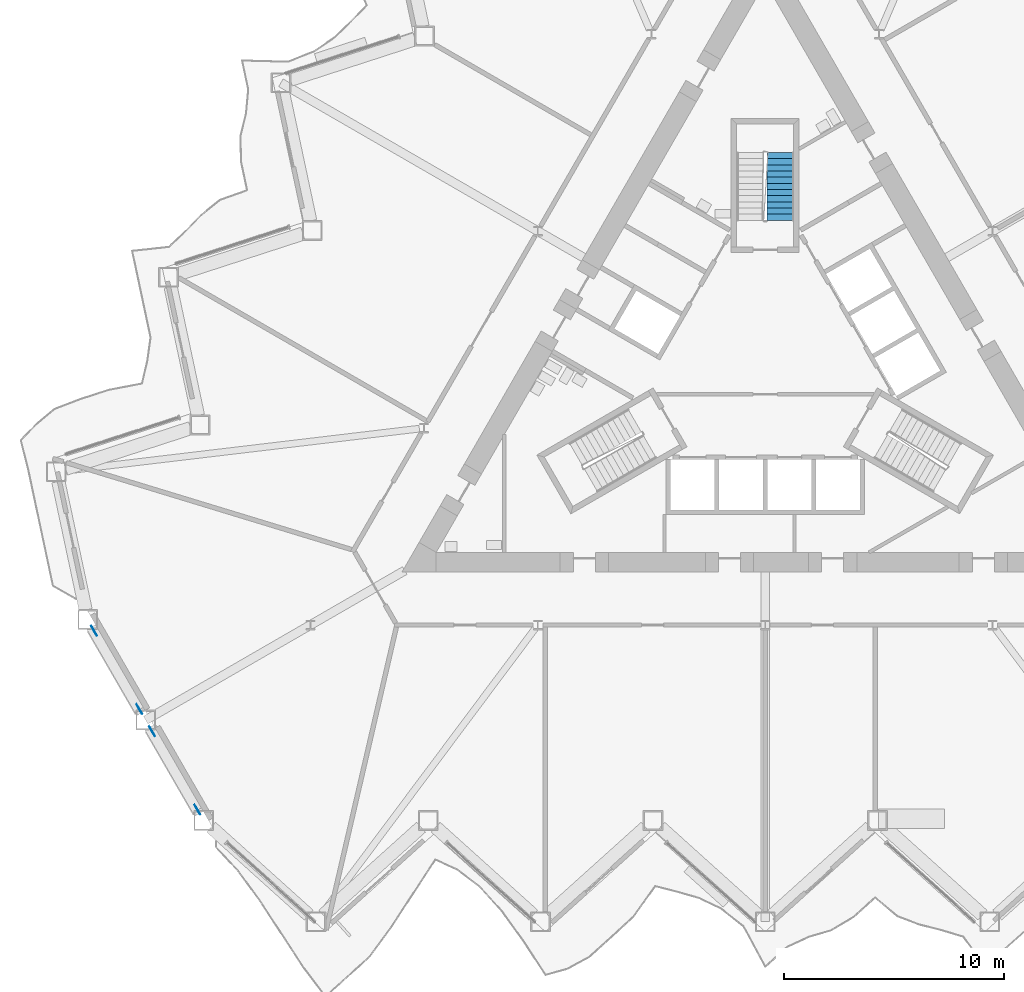
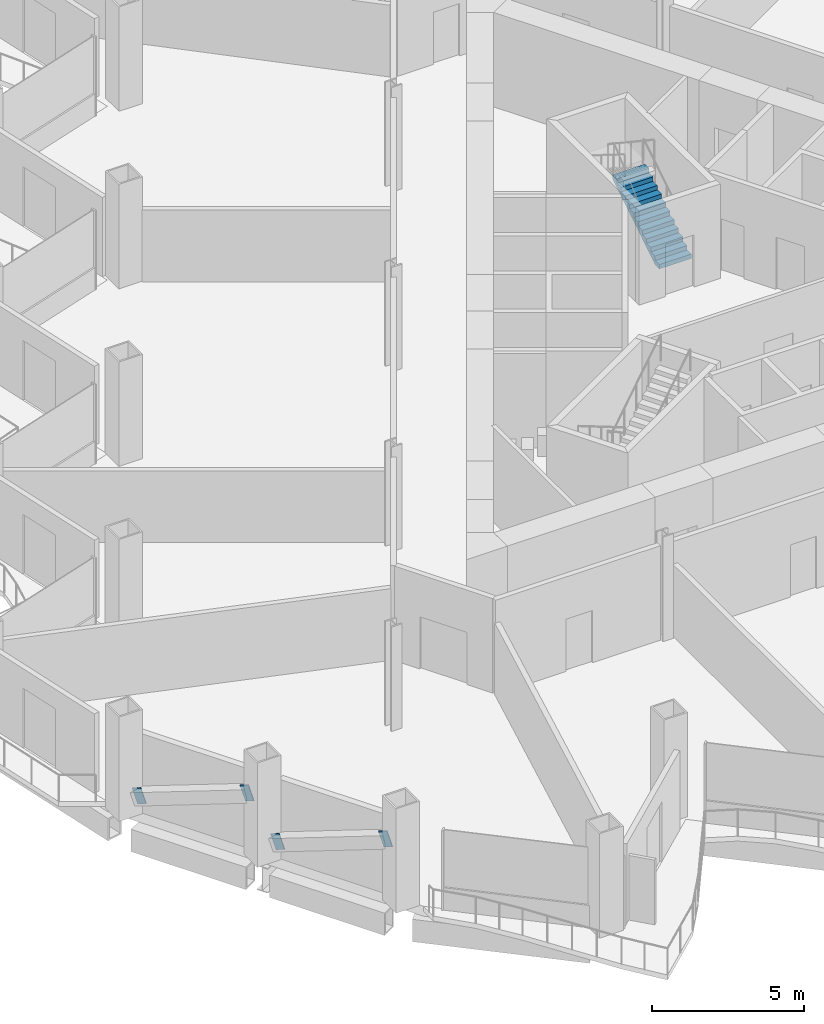
# One storey, part 14 of 21: 4 discrete accessories, 1 stair flight, 1 element without a shape of its own.
"""IFC4 building model written with IfcOpenShell, lengths in metres."""

from ifc_helpers import new_model, si_unit, direction, frame, origin, origin_2d, place, context, subcontext, project, spatial, polyline, rectangle, outline, extrude, material, material_profile, profile_set, type_object, element, aggregate, save


model = new_model("IFC4")

# Units and contexts
model_context = context("Model", 3, precision=1e-05, world=origin(), true_north=direction((0.0, 1.0)))
body_context = subcontext(model_context, "Body", "Model", "MODEL_VIEW")
ifc_project = project(units=[si_unit("LENGTHUNIT", "METRE"), si_unit("AREAUNIT", "SQUARE_METRE"), si_unit("VOLUMEUNIT", "CUBIC_METRE"), si_unit("PLANEANGLEUNIT", "RADIAN"), si_unit("MASSUNIT", "GRAM", prefix="KILO")], contexts=[model_context])

# Site, building, storey
site_placement = place(None, origin())
site = spatial("IfcSite", under=ifc_project, at=site_placement, CompositionType="ELEMENT")
building_placement = place(site_placement, origin())
building = spatial("IfcBuilding", under=site, at=building_placement, Name="Cormorant Prow Tower", CompositionType="ELEMENT")
storey_placement = place(building_placement, frame((0.0, 0.0, 99.60009765625)))
storey = spatial("IfcBuildingStorey", under=building, at=storey_placement, Name="L20", CompositionType="ELEMENT", Elevation=99.60009765625)

# Stair, stair flight
ifc_material_1 = material(Name="Exit stair 24 risers")
stair_type = type_object("IfcStairType", Name="Exit stair 24 risers", PredefinedType="HALF_TURN_STAIR", material=ifc_material_1)
stair_placement = place(storey_placement, origin())
stair = element("IfcStair", 1, at=stair_placement, inside=storey, type_object=stair_type, Name="L20 Exit stair ST3", PredefinedType="HALF_TURN_STAIR")
ifc_material_2 = material(Name="Concrete 5000 psi", Category="concrete")
stair_flight_type = type_object("IfcStairFlightType", Name="Stair flight 1219", PredefinedType="STRAIGHT", material=ifc_material_2)
stair_flight_placement = place(storey_placement, frame((0.6845703125, 6.455810546875, 0.0), z_axis=(0.0, 0.0, 1.0), x_axis=(0.0, 1.0, 0.0)))
stair_flight = element("IfcStairFlight", 2, at=stair_flight_placement, type_object=stair_flight_type, Name="ST3 flight 1", NumberOfRisers=12, NumberOfTreads=11, PredefinedType="STRAIGHT", RiserHeight=0.175, TreadLength=0.28, context=body_context, shape_type="SweptSolid", body=[
    extrude(outline(polyline([(0.0, 0.0), (0.0, 0.175048828125), (0.280029296875, 0.175048828125), (0.280029296875, 0.35009765625), (0.56005859375, 0.35009765625), (0.56005859375, 0.52490234375), (0.840087890625, 0.52490234375), (0.840087890625, 0.699951171875), (1.1201171875, 0.699951171875), (1.1201171875, 0.875), (1.39990234375, 0.875), (1.39990234375, 1.050048828125), (1.679931640625, 1.050048828125), (1.679931640625, 1.22509765625), (1.9599609375, 1.22509765625), (1.9599609375, 1.39990234375), (2.239990234375, 1.39990234375), (2.239990234375, 1.574951171875), (2.52001953125, 1.574951171875), (2.52001953125, 1.75), (2.800048828125, 1.75), (2.800048828125, 1.925048828125), (3.080078125, 1.925048828125), (3.080078125, 2.10009765625), (3.080078125, 1.748291015625), (0.28271484375, 0.0), (0.0, 0.0)])), frame((0.0, 0.609375, 0.0), z_axis=(0.0, -1.0, 0.0), x_axis=(1.0, 0.0, 0.0)), (0.0, 0.0, 1.0), 1.218994140625),
])
aggregate(stair, [stair_flight])

# Discrete accessories
ifc_material_3 = material(Name="Structural steel ASTM A500 Gr C", Category="steel")
ifc_material_profile = material_profile(ifc_material_3, rectangle(XDim=0.031982421875, YDim=0.60791015625, at=origin_2d()), Name="Gusset plate 32x608")
ifc_profile_set = profile_set([ifc_material_profile], Name="Structural steel ASTM A500 Gr C")
discrete_accessory_type = type_object("IfcDiscreteAccessoryType", Name="Gusset plate 32x608", PredefinedType="BRACKET", material=ifc_profile_set)
for number, where, z_axis, x_axis, name in (
    (3, (-30.39501953125, -12.328125, 0.88232421875), (-0.467903125124, 0.810288273314, -0.352844979601), (-0.865987003449, -0.500066505434, 0.0), "Gusset plate GP1 L20.WSW00.g0"),
    (4, (-28.5087890625, -15.59521484375, 2.306396484375), (0.467903125124, -0.810288273314, 0.352844979601), (0.865987003449, 0.500066505434, 0.0), "Gusset plate GP1 L20.WSW00.g1"),
):
    element("IfcDiscreteAccessory", number, at=place(storey_placement, frame(where, z_axis=z_axis, x_axis=x_axis)), inside=storey, type_object=discrete_accessory_type, Name=name, PredefinedType="BRACKET", context=body_context, shape_type="SweptSolid", body=[
        extrude(rectangle(XDim=0.031982421875, YDim=0.60791015625, at=origin_2d()), origin(), (0.0, 0.0, 1.0), 0.35009765625),
    ])
discrete_accessory_1_placement = place(storey_placement, frame((-27.76025390625, -16.8916015625, 0.88232421875), z_axis=(-0.468167615655, 0.810048586848, -0.353044431477), x_axis=(-0.865800459427, -0.500389412813, 0.0)))
element("IfcDiscreteAccessory", 5, at=discrete_accessory_1_placement, inside=storey, type_object=discrete_accessory_type, Name="Gusset plate GP1 L20.WSW01.g0", PredefinedType="BRACKET", context=body_context, shape_type="SweptSolid", body=[
    extrude(rectangle(XDim=0.031982421875, YDim=0.60791015625, at=origin_2d()), origin(), (0.0, 0.0, 1.0), 0.349853515625),
])
discrete_accessory_2_placement = place(storey_placement, frame((-25.8740234375, -20.158935546875, 2.306396484375), z_axis=(0.467903125124, -0.810288273314, 0.352844979601), x_axis=(0.865987003449, 0.500066505434, 0.0)))
element("IfcDiscreteAccessory", 6, at=discrete_accessory_2_placement, inside=storey, type_object=discrete_accessory_type, Name="Gusset plate GP1 L20.WSW01.g1", PredefinedType="BRACKET", context=body_context, shape_type="SweptSolid", body=[
    extrude(rectangle(XDim=0.031982421875, YDim=0.60791015625, at=origin_2d()), origin(), (0.0, 0.0, 1.0), 0.35009765625),
])

save(model, "model.ifc")
